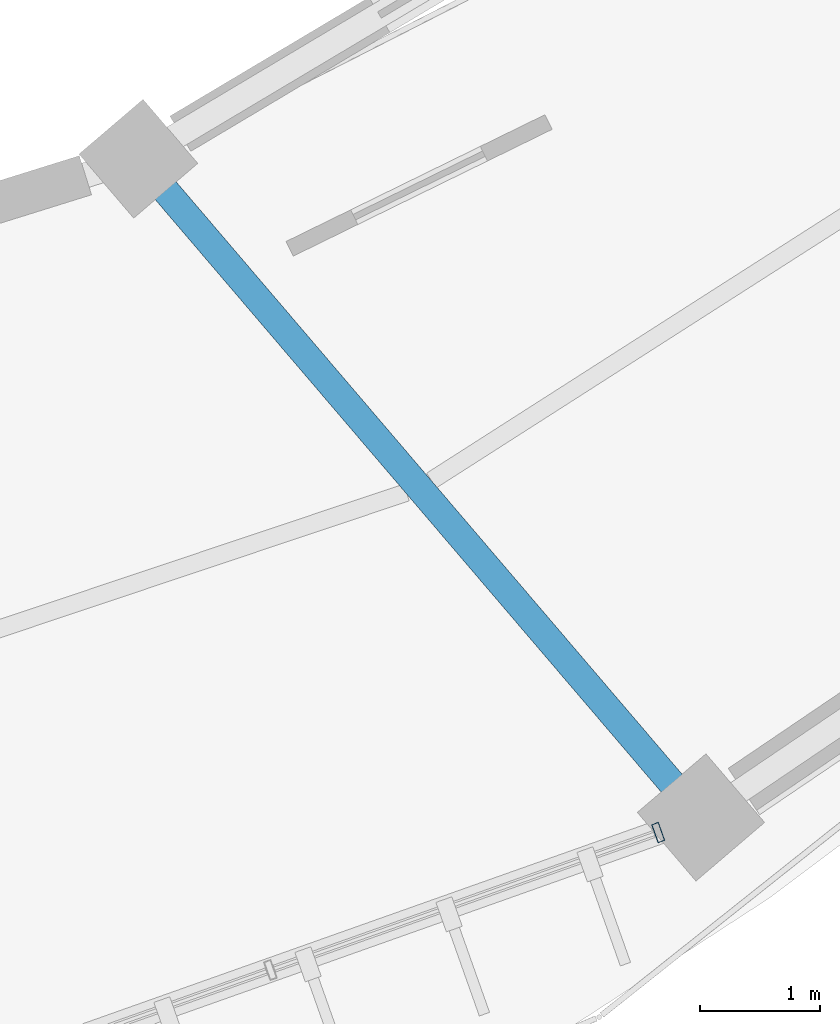
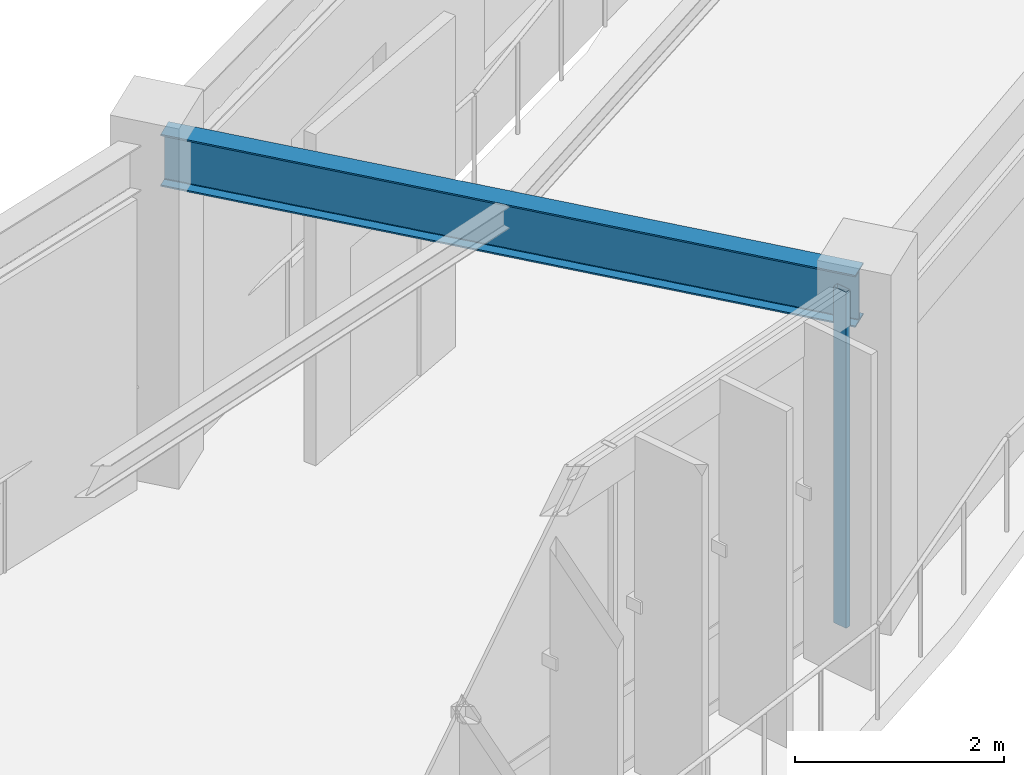
# One storey, part 66 of 152: 1 beam, 1 member, 1 element without a shape of its own.
"""IFC4 building model written with IfcOpenShell, lengths in metres."""

from ifc_helpers import new_model, si_unit, direction, frame, origin, origin_2d, place, context, subcontext, project, spatial, hollow_rectangle, i_section, extrude, material, material_profile, profile_set, type_object, element, aggregate, save


model = new_model("IFC4")

# Units and contexts
model_context = context("Model", 3, precision=1e-05, world=origin(), true_north=direction((0.0, 1.0)))
body_context = subcontext(model_context, "Body", "Model", "MODEL_VIEW")
ifc_project = project(units=[si_unit("LENGTHUNIT", "METRE"), si_unit("AREAUNIT", "SQUARE_METRE"), si_unit("VOLUMEUNIT", "CUBIC_METRE"), si_unit("PLANEANGLEUNIT", "RADIAN"), si_unit("MASSUNIT", "GRAM", prefix="KILO"), si_unit("THERMODYNAMICTEMPERATUREUNIT", "KELVIN"), si_unit("POWERUNIT", "WATT")], contexts=[model_context])

# Site, building, storey
site_placement = place(None, origin())
site = spatial("IfcSite", under=ifc_project, at=site_placement, CompositionType="ELEMENT")
building_placement = place(site_placement, origin())
building = spatial("IfcBuilding", under=site, at=building_placement, Name="Darbajah Civic Hall", CompositionType="ELEMENT")
storey_placement = place(building_placement, frame((0.0, 0.0, 5.39990234375)))
storey = spatial("IfcBuildingStorey", under=building, at=storey_placement, Name="L01", CompositionType="ELEMENT", Elevation=5.39990234375)

# Curtain wall, member
ifc_material_1 = material(Name="Anodised Bronze Aluminium and Low-E Glazing", Category="aluminium")
curtain_wall_type = type_object("IfcCurtainWallType", Name="Unitised Curtain Wall CW-33 13700x3900", PredefinedType="USERDEFINED", material=ifc_material_1)
curtain_wall_placement = place(storey_placement, origin())
curtain_wall = element("IfcCurtainWall", 1, at=curtain_wall_placement, inside=storey, type_object=curtain_wall_type, Name="L01 unitised curtain wall CW-V1O-L01-16", ObjectType="UNITISED CURTAIN WALL", PredefinedType="USERDEFINED")
ifc_material_2 = material(Name="Anodised Bronze Aluminium", Category="aluminium")
ifc_material_profile_1 = material_profile(ifc_material_2, hollow_rectangle(XDim=0.06005859375, YDim=0.159912109375, WallThickness=0.00341796875, at=origin_2d()), Name="ALU MULLION 60x160")
ifc_profile_set_1 = profile_set([ifc_material_profile_1], Name="Anodised Bronze Aluminium")
member_type = type_object("IfcMemberType", Name="ALU MULLION 60x160", PredefinedType="MULLION", material=ifc_profile_set_1)
member_placement = place(storey_placement, frame((121.86669921875, 67.241943359375, 0.0), z_axis=(0.0, 0.0, 1.0), x_axis=(0.94252491309, 0.334135882844, 0.0)))
member = element("IfcMember", 2, at=member_placement, type_object=member_type, Name="CW-V1O-L01-16 mullion 5", PredefinedType="MULLION", context=body_context, shape_type="SweptSolid", body=[
    extrude(hollow_rectangle(XDim=0.06005859375, YDim=0.159912109375, WallThickness=0.00341796875, at=origin_2d()), origin(), (0.0, 0.0, 1.0), 3.920166015625),
])
aggregate(curtain_wall, [member])

# Beam
ifc_material_3 = material(Name="Steel S355JR", Category="steel")
ifc_material_profile_2 = material_profile(ifc_material_3, i_section(OverallWidth=0.228271484375, OverallDepth=0.607666015625, WebThickness=0.010986328125, FlangeThickness=0.017333984375, FilletRadius=0.0126953125, at=origin_2d()), Name="UB 610x229x113")
ifc_profile_set_2 = profile_set([ifc_material_profile_2], Name="Steel S355JR")
beam_type = type_object("IfcBeamType", Name="UB 610x229x113", PredefinedType="BEAM", material=ifc_profile_set_2)
beam_placement = place(storey_placement, frame((117.597900390625, 72.781982421875, 3.6162109375), z_axis=(0.649439482197, -0.760413281686, 0.0), x_axis=(0.760413281686, 0.649439482197, 0.0)))
element("IfcBeam", 3, at=beam_placement, inside=storey, type_object=beam_type, Name="L01 beam SB-610", PredefinedType="BEAM", context=body_context, shape_type="SweptSolid", body=[
    extrude(i_section(OverallWidth=0.228271484375, OverallDepth=0.607666015625, WebThickness=0.010986328125, FlangeThickness=0.017333984375, FilletRadius=0.0126953125, at=origin_2d()), origin(), (0.0, 0.0, 1.0), 7.0400390625),
])

save(model, "model.ifc")
